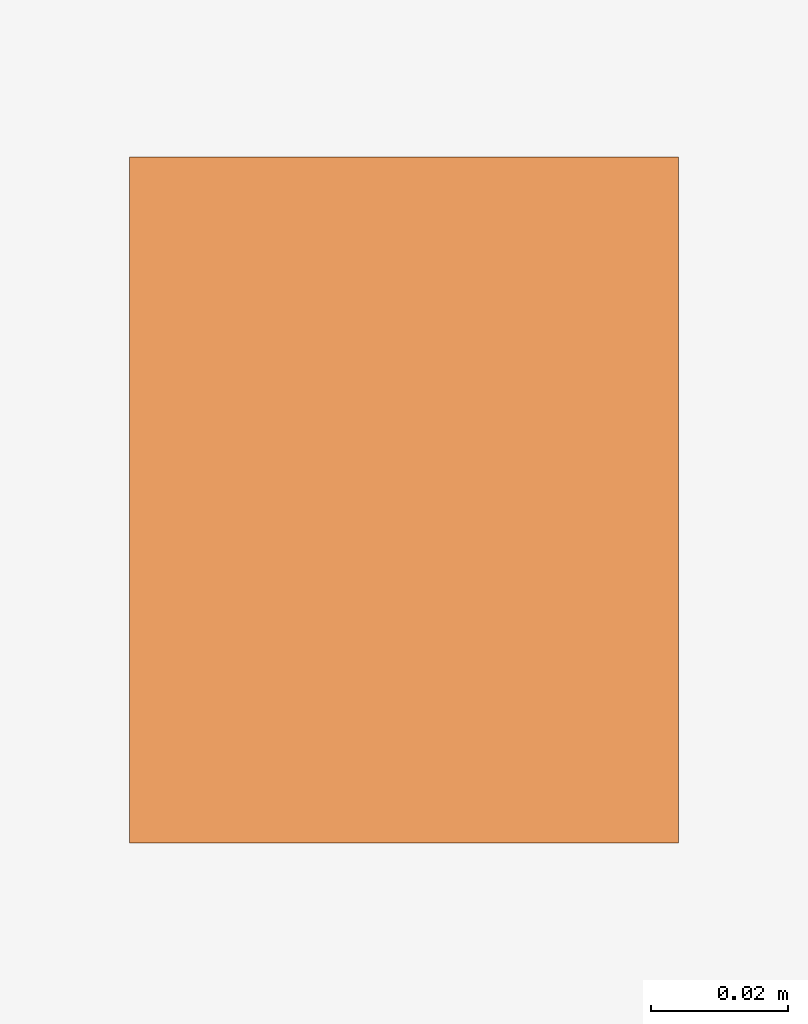
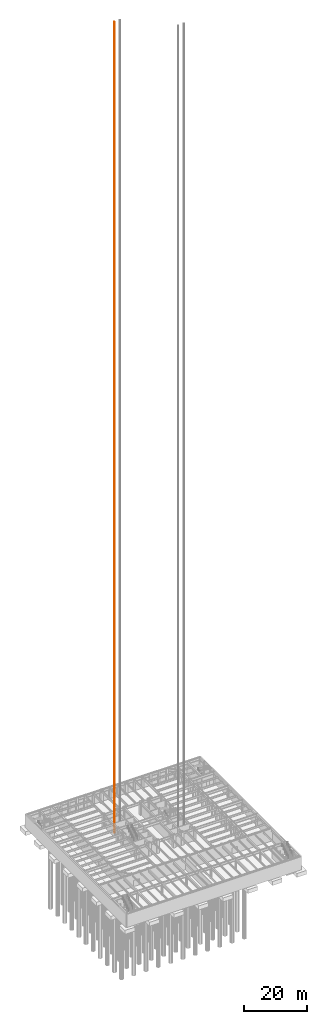
# One storey, part 15 of 18: 1 proxy.
"""IFC4 building model written with IfcOpenShell, lengths in metres."""

from ifc_helpers import new_model, si_unit, direction, frame, origin, origin_2d, place, context, subcontext, project, spatial, rectangle, extrude, material, type_object, element, save


model = new_model("IFC4")

# Units and contexts
model_context = context("Model", 3, precision=1e-05, world=origin(), true_north=direction((0.0, 1.0)))
body_context = subcontext(model_context, "Body", "Model", "MODEL_VIEW")
ifc_project = project(units=[si_unit("LENGTHUNIT", "METRE"), si_unit("AREAUNIT", "SQUARE_METRE"), si_unit("VOLUMEUNIT", "CUBIC_METRE"), si_unit("PLANEANGLEUNIT", "RADIAN"), si_unit("MASSUNIT", "GRAM", prefix="KILO")], contexts=[model_context])

# Site, building, storey
site_placement = place(None, origin())
site = spatial("IfcSite", under=ifc_project, at=site_placement, CompositionType="ELEMENT")
building_placement = place(site_placement, origin())
building = spatial("IfcBuilding", under=site, at=building_placement, Name="Chuquiago Exchange Tower", CompositionType="ELEMENT")
storey_placement = place(building_placement, frame((0.0, 0.0, -5.0)))
storey = spatial("IfcBuildingStorey", under=building, at=storey_placement, Name="B1", CompositionType="ELEMENT", Elevation=-5.0)

# Proxy
ifc_material = material(Name="Galvanised steel guide rail", Category="steel")
building_element_proxy_type = type_object("IfcBuildingElementProxyType", Name="LR lift guide rail", PredefinedType="NOTDEFINED", material=ifc_material)
proxy_placement = place(storey_placement, frame((13.18994140625, 28.5, 0.0), z_axis=(0.0, 0.0, 1.0), x_axis=(1.0, 0.0, 0.0)))
element("IfcBuildingElementProxy", 1, at=proxy_placement, inside=storey, type_object=building_element_proxy_type, Name="Lift FL1 guide rail W", PredefinedType="NOTDEFINED", context=body_context, shape_type="SweptSolid", body=[
    extrude(rectangle(XDim=0.080078125, YDim=0.10009765625, at=origin_2d()), origin(), (0.0, 0.0, 1.0), 313.89990234375),
])

save(model, "model.ifc")
